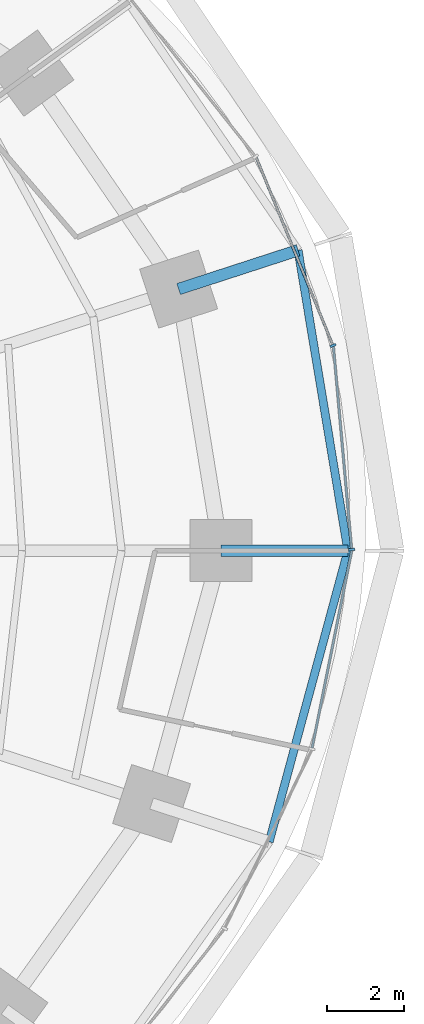
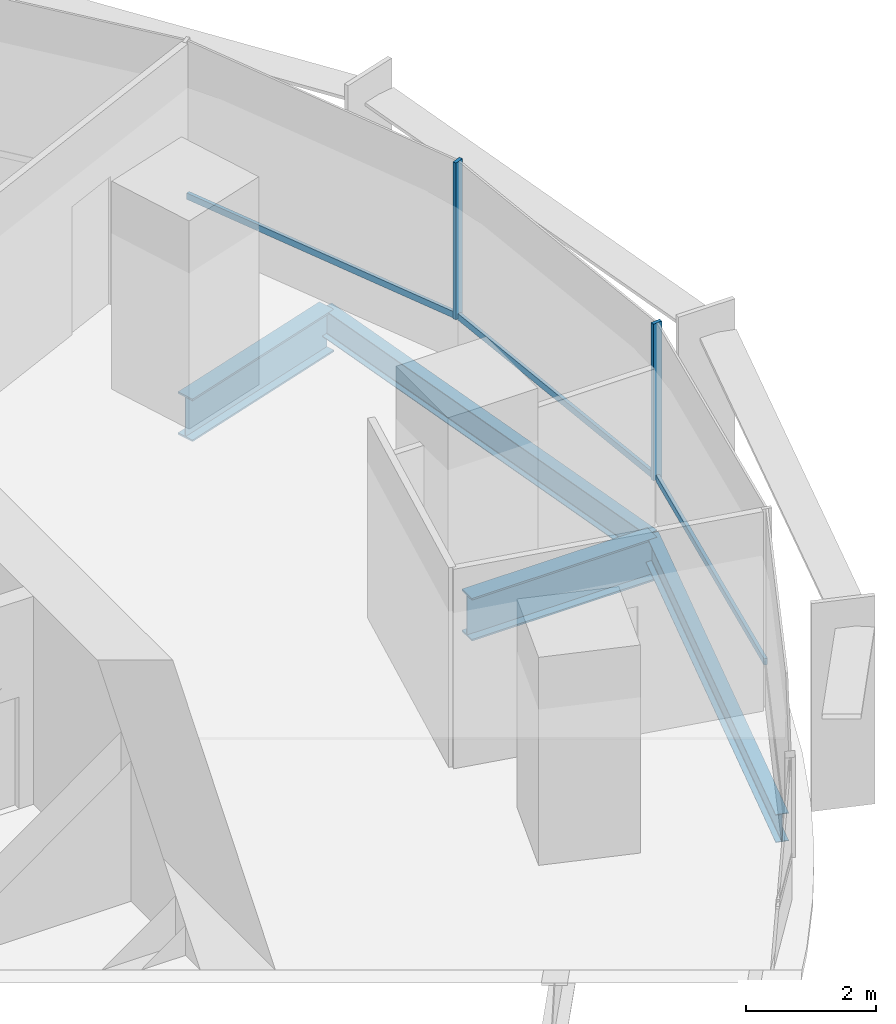
# One storey, part 6 of 14: 5 members, 4 beams, 2 elements without a shape of their own.
"""IFC4 building model written with IfcOpenShell, lengths in metres."""

from ifc_helpers import new_model, si_unit, direction, frame, origin, origin_2d, place, context, subcontext, project, spatial, rectangle, i_section, extrude, material, material_profile, profile_set, type_object, element, aggregate, save


model = new_model("IFC4")

# Units and contexts
model_context = context("Model", 3, precision=1e-05, world=origin(), true_north=direction((0.0, 1.0)))
body_context = subcontext(model_context, "Body", "Model", "MODEL_VIEW")
ifc_project = project(units=[si_unit("LENGTHUNIT", "METRE"), si_unit("AREAUNIT", "SQUARE_METRE"), si_unit("VOLUMEUNIT", "CUBIC_METRE"), si_unit("PLANEANGLEUNIT", "RADIAN"), si_unit("MASSUNIT", "GRAM", prefix="KILO")], contexts=[model_context])

# Site, building, storey
site_placement = place(None, origin())
site = spatial("IfcSite", under=ifc_project, at=site_placement, CompositionType="ELEMENT")
building_placement = place(site_placement, origin())
building = spatial("IfcBuilding", under=site, at=building_placement, Name="Marramba Exchange Tower", CompositionType="ELEMENT")
storey_placement = place(building_placement, frame((0.0, 0.0, 150.89990234375)))
storey = spatial("IfcBuildingStorey", under=building, at=storey_placement, Name="L36", CompositionType="ELEMENT", Elevation=150.89990234375)

# Beams
ifc_material_1 = material(Name="Steel AS/NZS 3679.2 grade 300", Category="steel")
ifc_material_profile_1 = material_profile(ifc_material_1, i_section(OverallWidth=0.300048828125, OverallDepth=0.800048828125, WebThickness=0.013916015625, FlangeThickness=0.031982421875, at=origin_2d()), Name="800WB192")
ifc_profile_set_1 = profile_set([ifc_material_profile_1], Name="Steel AS/NZS 3679.2 grade 300")
beam_type_1 = type_object("IfcBeamType", Name="Cantilever girder 800WB192", PredefinedType="BEAM", material=ifc_profile_set_1)
beam_1_placement = place(storey_placement, frame((21.89990234375, 0.0, -0.559814453125), z_axis=(1.0, 0.0, 0.0), x_axis=(0.0, 1.0, 0.0)))
element("IfcBeam", 1, at=beam_1_placement, inside=storey, type_object=beam_type_1, Name="Cantilever girder L36 TC01", PredefinedType="BEAM", context=body_context, shape_type="SweptSolid", body=[
    extrude(i_section(OverallWidth=0.300048828125, OverallDepth=0.800048828125, WebThickness=0.013916015625, FlangeThickness=0.031982421875, at=origin_2d()), origin(), (0.0, 0.0, 1.0), 3.281982421875),
])
beam_2_placement = place(storey_placement, frame((20.808349609375, 6.760986328125, -0.559814453125), z_axis=(0.95105562578, 0.309019735087, 0.0), x_axis=(-0.309019735087, 0.95105562578, 0.0)))
element("IfcBeam", 2, at=beam_2_placement, inside=storey, type_object=beam_type_1, Name="Cantilever girder L36 TC02", PredefinedType="BEAM", context=body_context, shape_type="SweptSolid", body=[
    extrude(i_section(OverallWidth=0.300048828125, OverallDepth=0.800048828125, WebThickness=0.013916015625, FlangeThickness=0.031982421875, at=origin_2d()), origin(), (0.0, 0.0, 1.0), 3.24560546875),
])

# Curtain wall, members
ifc_material_2 = material(Name="Aluminium framing, bronze anodised", Category="aluminium")
curtain_wall_type = type_object("IfcCurtainWallType", Name="Office ribbon curtain wall", PredefinedType="USERDEFINED", material=ifc_material_2)
curtain_wall_1_placement = place(storey_placement, origin())
curtain_wall_1 = element("IfcCurtainWall", 3, at=curtain_wall_1_placement, inside=storey, type_object=curtain_wall_type, Name="Curtain wall CW4 L36 F01-F05", ObjectType="RIBBON CURTAIN WALL", PredefinedType="USERDEFINED")
ifc_material_3 = material(Name="Aluminium mullion, bronze anodised", Category="aluminium")
ifc_material_profile_2 = material_profile(ifc_material_3, rectangle(XDim=0.159912109375, YDim=0.06005859375, at=origin_2d()), Name="CW4 mullion 60x160")
ifc_profile_set_2 = profile_set([ifc_material_profile_2], Name="Aluminium mullion, bronze anodised")
member_type_1 = type_object("IfcMemberType", Name="Office ribbon curtain wall mullion", PredefinedType="MULLION", material=ifc_profile_set_2)
member_1_placement = place(storey_placement, frame((25.279296875, 0.02978515625, 0.800048828125), z_axis=(0.0, 0.0, 1.0), x_axis=(-0.995994646311, -0.089412887889, 0.0)))
member_1 = element("IfcMember", 4, at=member_1_placement, type_object=member_type_1, Name="CW4 mullion 1", PredefinedType="MULLION", context=body_context, shape_type="SweptSolid", body=[
    extrude(rectangle(XDim=0.159912109375, YDim=0.06005859375, at=origin_2d()), origin(), (0.0, 0.0, 1.0), 2.93994140625),
])
member_2_placement = place(storey_placement, frame((24.79736328125, 5.301025390625, 0.800048828125), z_axis=(0.0, 0.0, 1.0), x_axis=(-0.925878584668, -0.377821183171, 0.0)))
member_2 = element("IfcMember", 5, at=member_2_placement, type_object=member_type_1, Name="CW4 mullion 1", PredefinedType="MULLION", context=body_context, shape_type="SweptSolid", body=[
    extrude(rectangle(XDim=0.159912109375, YDim=0.06005859375, at=origin_2d()), origin(), (0.0, 0.0, 1.0), 2.93994140625),
])
ifc_material_4 = material(Name="Aluminium transom, bronze anodised", Category="aluminium")
ifc_material_profile_3 = material_profile(ifc_material_4, rectangle(XDim=0.06005859375, YDim=0.1201171875, at=origin_2d()), Name="CW4 transom 60x120")
ifc_profile_set_3 = profile_set([ifc_material_profile_3], Name="Aluminium transom, bronze anodised")
member_type_2 = type_object("IfcMemberType", Name="Office ribbon curtain wall transom", PredefinedType="USERDEFINED", material=ifc_profile_set_3)
member_3_placement = place(storey_placement, frame((25.276611328125, 0.059814453125, 0.830078125), z_axis=(-0.089412838135, 0.995994650777, 0.0), x_axis=(-0.995994650777, -0.089412838135, 0.0)))
member_3 = element("IfcMember", 6, at=member_3_placement, type_object=member_type_2, Name="CW4 sill transom", ObjectType="TRANSOM", PredefinedType="USERDEFINED", context=body_context, shape_type="SweptSolid", body=[
    extrude(rectangle(XDim=0.06005859375, YDim=0.1201171875, at=origin_2d()), origin(), (0.0, 0.0, 1.0), 5.234375),
])
member_4_placement = place(storey_placement, frame((24.785888671875, 5.328857421875, 0.830078125), z_axis=(-0.377838039034, 0.925871706155, 0.0), x_axis=(-0.925871706155, -0.377838039034, 0.0)))
member_4 = element("IfcMember", 7, at=member_4_placement, type_object=member_type_2, Name="CW4 sill transom", ObjectType="TRANSOM", PredefinedType="USERDEFINED", context=body_context, shape_type="SweptSolid", body=[
    extrude(rectangle(XDim=0.06005859375, YDim=0.1201171875, at=origin_2d()), origin(), (0.0, 0.0, 1.0), 5.2158203125),
])
aggregate(curtain_wall_1, [member_1, member_3, member_2, member_4])

# Curtain wall, member
curtain_wall_2_placement = place(storey_placement, origin())
curtain_wall_2 = element("IfcCurtainWall", 8, at=curtain_wall_2_placement, inside=storey, type_object=curtain_wall_type, Name="Curtain wall CW4 L36 F26-F30", ObjectType="RIBBON CURTAIN WALL", PredefinedType="USERDEFINED")
member_5_placement = place(storey_placement, frame((24.258056640625, -5.094970703125, 0.830078125), z_axis=(0.197028520451, 0.980397757101, 0.0), x_axis=(-0.980397757101, 0.197028520451, 0.0)))
member_5 = element("IfcMember", 9, at=member_5_placement, type_object=member_type_2, Name="CW4 sill transom", ObjectType="TRANSOM", PredefinedType="USERDEFINED", context=body_context, shape_type="SweptSolid", body=[
    extrude(rectangle(XDim=0.06005859375, YDim=0.1201171875, at=origin_2d()), origin(), (0.0, 0.0, 1.0), 5.19677734375),
])
aggregate(curtain_wall_2, [member_5])

# Beams
ifc_material_5 = material(Name="Steel AS/NZS 3679.1 grade 300", Category="steel")
ifc_material_profile_4 = material_profile(ifc_material_5, i_section(OverallWidth=0.208984375, OverallDepth=0.528076171875, WebThickness=0.009521484375, FlangeThickness=0.01318359375, FilletRadius=0.013916015625, at=origin_2d()), Name="530UB82.0")
ifc_profile_set_4 = profile_set([ifc_material_profile_4], Name="Steel AS/NZS 3679.1 grade 300")
beam_type_2 = type_object("IfcBeamType", Name="Slab edge beam 530UB82.0", PredefinedType="SPANDREL", material=ifc_profile_set_4)
beam_3_placement = place(storey_placement, frame((25.181884765625, 0.0, -0.423828125), z_axis=(-0.163518559175, 0.986540258076, 0.0), x_axis=(-0.986540258076, -0.163518559175, 0.0)))
element("IfcBeam", 10, at=beam_3_placement, inside=storey, type_object=beam_type_2, Name="Slab edge beam L36 TC01-TC02", PredefinedType="SPANDREL", context=body_context, shape_type="SweptSolid", body=[
    extrude(i_section(OverallWidth=0.208984375, OverallDepth=0.528076171875, WebThickness=0.009521484375, FlangeThickness=0.01318359375, FilletRadius=0.013916015625, at=origin_2d()), origin(), (0.0, 0.0, 1.0), 7.869873046875),
])
beam_4_placement = place(storey_placement, frame((23.148681640625, -7.521484375, -0.423828125), z_axis=(0.260953221575, 0.965351446961, 0.0), x_axis=(-0.965351446961, 0.260953221575, 0.0)))
element("IfcBeam", 11, at=beam_4_placement, inside=storey, type_object=beam_type_2, Name="Slab edge beam L36 TC20-TC01", PredefinedType="SPANDREL", context=body_context, shape_type="SweptSolid", body=[
    extrude(i_section(OverallWidth=0.208984375, OverallDepth=0.528076171875, WebThickness=0.009521484375, FlangeThickness=0.01318359375, FilletRadius=0.013916015625, at=origin_2d()), origin(), (0.0, 0.0, 1.0), 7.79150390625),
])

save(model, "model.ifc")
